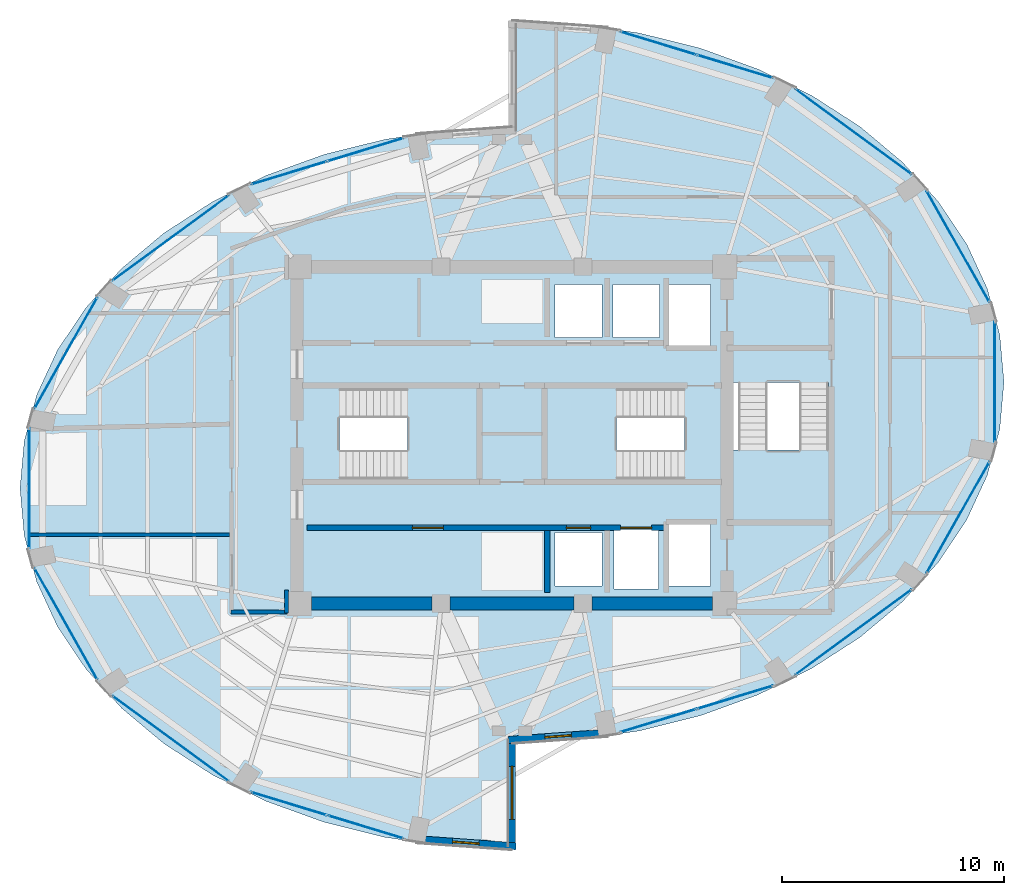
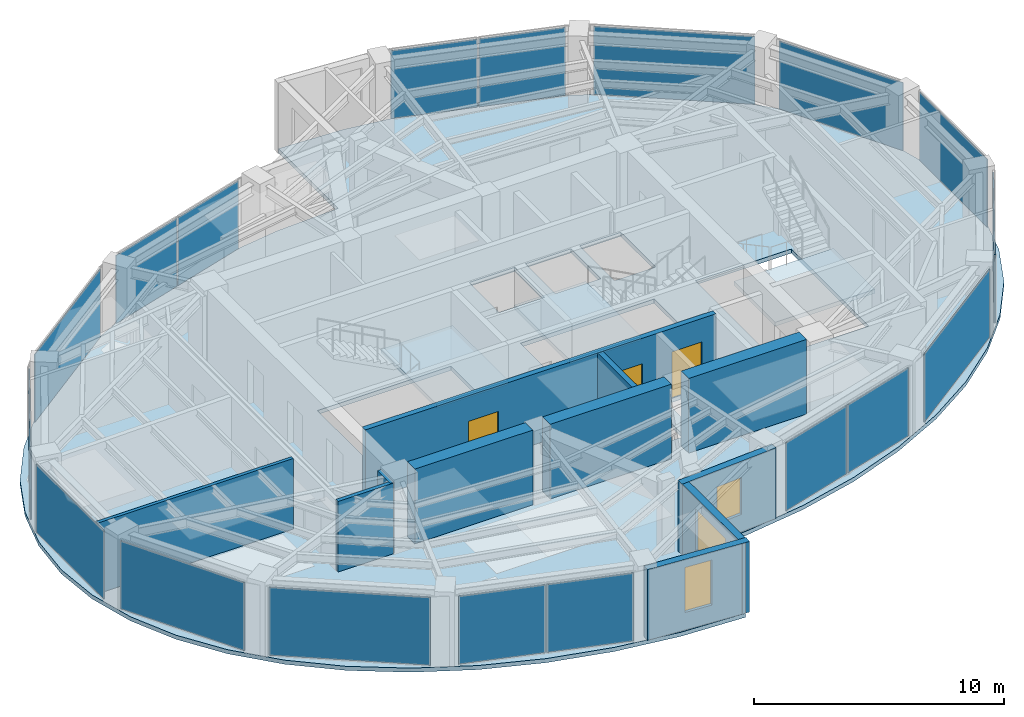
# One storey, part 18 of 22: 18 plates, 11 walls, 4 slabs, 3 doors, 3 windows, 6 openings, 17 elements without a shape of their own.
"""IFC4 building model written with IfcOpenShell, lengths in metres."""

import ifcopenshell
import ifcopenshell.guid

model = None  # the IFC model being written
_history = None  # IfcOwnerHistory: only IFC2X3 demands one
_inside = {}  # id of a spatial element -> (the spatial element, [elements in it])
_under = {}  # id of a project, library or spatial element -> (it, [spatial elements below it])
_declared = {}  # id of a project -> (the project, [libraries it declares])
_typed = {}  # id of a type object -> (the type object, [elements of that type])
_made_of = {}  # id of a material, layer set ... -> (it, [elements and type objects made of it])


def new_model(schema):
    """Start an empty IFC model of exactly this schema.

    Asked for "IFC4X3", IfcOpenShell would pick the latest addendum, in which some entities
    have other attributes; the version numbers below select the first issue.
    IFC2X3 requires an IfcOwnerHistory on every rooted entity: one is made here for all.
    """
    global model, _history
    if schema == "IFC4X3":
        model = ifcopenshell.file(schema_version=(4, 3, 0, 0))
    else:
        model = ifcopenshell.file(schema=schema)
    _inside.clear()
    _under.clear()
    _declared.clear()
    _typed.clear()
    _made_of.clear()
    _history = None
    if model.schema == "IFC2X3":
        org = make("IfcOrganization", Name="unknown")
        user = make(
            "IfcPersonAndOrganization",
            ThePerson=make("IfcPerson", FamilyName="unknown"),
            TheOrganization=org,
        )
        app = make(
            "IfcApplication",
            ApplicationDeveloper=org,
            Version="unknown",
            ApplicationFullName="unknown",
            ApplicationIdentifier="unknown",
        )
        _history = make(
            "IfcOwnerHistory",
            OwningUser=user,
            OwningApplication=app,
            ChangeAction="ADDED",
            CreationDate=0,
        )
    return model


def make(cls, **values):
    """One entity of the class cls with the attributes given. An attribute that is None is left unset."""
    return model.create_entity(
        cls, **{name: value for name, value in values.items() if value is not None}
    )


def rooted(cls, **values):
    """An entity with a GlobalId (a new one), such as an element, a storey or a relation."""
    return make(cls, GlobalId=ifcopenshell.guid.new(), OwnerHistory=_history, **values)


def si_unit(unit_type, name, prefix=None):
    """IfcSIUnit, for example si_unit("LENGTHUNIT", "METRE", prefix="MILLI")."""
    return make("IfcSIUnit", UnitType=unit_type, Prefix=prefix, Name=name)


def assignment(units):
    """IfcUnitAssignment: the units of a project."""
    return None if units is None else make("IfcUnitAssignment", Units=units)


def point(xyz):
    """IfcCartesianPoint."""
    return None if xyz is None else make("IfcCartesianPoint", Coordinates=xyz)


def direction(xyz):
    """IfcDirection."""
    return None if xyz is None else make("IfcDirection", DirectionRatios=xyz)


def frame(location, z_axis=None, x_axis=None):
    """IfcAxis2Placement3D, a coordinate frame: its origin and axes. An axis left out is left unset."""
    return make(
        "IfcAxis2Placement3D",
        Location=point(location),
        Axis=direction(z_axis),
        RefDirection=direction(x_axis),
    )


def frame_2d(location, x_axis=None):
    """IfcAxis2Placement2D, a coordinate frame in the plane: its origin and x axis."""
    return make(
        "IfcAxis2Placement2D", Location=point(location), RefDirection=direction(x_axis)
    )


def origin():
    """The frame at (0, 0, 0) with its axes left unset."""
    return frame((0.0, 0.0, 0.0))


def origin_2d():
    """The frame at (0, 0) in the plane with its x axis left unset."""
    return frame_2d((0.0, 0.0))


def place(relative_to, where):
    """IfcLocalPlacement: puts the frame where relative to a parent placement (None: the world)."""
    return make(
        "IfcLocalPlacement", PlacementRelTo=relative_to, RelativePlacement=where
    )


def context(
    kind, dimensions, precision=None, world=None, true_north=None, identifier=None
):
    """IfcGeometricRepresentationContext, for example the 3D "Model" context."""
    return make(
        "IfcGeometricRepresentationContext",
        ContextIdentifier=identifier,
        ContextType=kind,
        CoordinateSpaceDimension=dimensions,
        Precision=precision,
        WorldCoordinateSystem=world,
        TrueNorth=true_north,
    )


def subcontext(parent, identifier, kind, view, scale=None):
    """IfcGeometricRepresentationSubContext, for example "Body" below "Model"."""
    return make(
        "IfcGeometricRepresentationSubContext",
        ContextIdentifier=identifier,
        ContextType=kind,
        ParentContext=parent,
        TargetScale=scale,
        TargetView=view,
    )


def project(units=None, contexts=None):
    """IfcProject with its units and contexts."""
    return rooted(
        "IfcProject",
        Name="project",
        RepresentationContexts=contexts,
        UnitsInContext=assignment(units),
    )


def spatial(cls, under=None, at=None, **own):
    """A site, building, storey or space (cls), placed at a placement, below another one or the project."""
    s = rooted(cls, ObjectPlacement=at, **own)
    if under is not None:
        _under.setdefault(under.id(), (under, []))[1].append(s)
    return s


def polyline(points):
    """IfcPolyline through the points."""
    return make("IfcPolyline", Points=[point(p) for p in points])


def profile(cls, at=None, kind="AREA", **sizes):
    """A parametric profile (cls). Its sizes go by their IFC names, for example OverallWidth=200.0."""
    return make(cls, ProfileType=kind, Position=at, **sizes)


def rectangle(**sizes):
    """IfcRectangleProfileDef."""
    return profile("IfcRectangleProfileDef", **sizes)


def outline(outer, holes=None, kind="AREA"):
    """IfcArbitraryClosedProfileDef: a profile drawn as a closed curve; with holes, ...WithVoids."""
    if holes is None:
        return make("IfcArbitraryClosedProfileDef", ProfileType=kind, OuterCurve=outer)
    return make(
        "IfcArbitraryProfileDefWithVoids",
        ProfileType=kind,
        OuterCurve=outer,
        InnerCurves=holes,
    )


def extrude(swept, where, along, depth):
    """IfcExtrudedAreaSolid: the profile swept, set in the frame where, extruded along a direction by depth."""
    return make(
        "IfcExtrudedAreaSolid",
        SweptArea=swept,
        Position=where,
        ExtrudedDirection=direction(along),
        Depth=depth,
    )


def shape(context_of_items, identifier, shape_type, items):
    """IfcShapeRepresentation: the items that make up one representation, for example the "Body"."""
    return make(
        "IfcShapeRepresentation",
        ContextOfItems=context_of_items,
        RepresentationIdentifier=identifier,
        RepresentationType=shape_type,
        Items=items,
    )


def material(Name=None, Category=None):
    """IfcMaterial."""
    return make("IfcMaterial", Name=Name, Category=Category)


def layer(
    of_material, thickness, ventilated=None, Name=None, Category=None, Priority=None
):
    """IfcMaterialLayer: one layer of a wall or slab, of a material (None: an air gap)."""
    return make(
        "IfcMaterialLayer",
        Material=of_material,
        LayerThickness=thickness,
        IsVentilated=ventilated,
        Name=Name,
        Category=Category,
        Priority=Priority,
    )


def layer_set(layers, Name=None):
    """IfcMaterialLayerSet."""
    return make("IfcMaterialLayerSet", MaterialLayers=layers, LayerSetName=Name)


def made_of(thing, what):
    """Note that an element or type object is made of a material, layer set ...; save() writes the relation."""
    if what is not None:
        _made_of.setdefault(what.id(), (what, []))[1].append(thing)
    return thing


def type_object(cls, material=None, **own):
    """A type object (cls), such as IfcWallType, which elements share."""
    return made_of(rooted(cls, **own), material)


def element(
    cls,
    number,
    at=None,
    inside=None,
    cuts=None,
    type_object=None,
    material=None,
    context=None,
    identifier="Body",
    shape_type=None,
    held_by="IfcProductDefinitionShape",
    body=None,
    shapes=None,
    **own,
):
    """One element of the class cls, such as IfcWall. Its Tag is "e" and its number.

    at: its placement. inside: the storey or other place that contains it. cuts: it is an
    opening in that element (IfcRelVoidsElement). A single representation is given by context,
    identifier, shape_type and body (its items); several are given by shapes. held_by: the class
    of the entity that holds the representations. save() writes the other relations.
    """
    e = rooted(cls, Tag="e%d" % number, ObjectPlacement=at, **own)
    if body is not None:
        shapes = [shape(context, identifier, shape_type, body)]
    if shapes is not None:
        e.Representation = make(held_by, Representations=shapes)
    if inside is not None:
        _inside.setdefault(inside.id(), (inside, []))[1].append(e)
    if cuts is not None:
        rooted(
            "IfcRelVoidsElement", RelatingBuildingElement=cuts, RelatedOpeningElement=e
        )
    if type_object is not None:
        _typed.setdefault(type_object.id(), (type_object, []))[1].append(e)
    return made_of(e, material)


def fill(opening, filler):
    """IfcRelFillsElement: the door or window that sits in an opening."""
    return rooted(
        "IfcRelFillsElement",
        RelatingOpeningElement=opening,
        RelatedBuildingElement=filler,
    )


def aggregate(whole, parts):
    """IfcRelAggregates: a whole, such as a stair, and the parts it consists of."""
    return rooted("IfcRelAggregates", RelatingObject=whole, RelatedObjects=parts)


def save(model, path):
    """Write the relations noted so far, then the file.

    IfcRelAggregates (storeys below a building ...), IfcRelContainedInSpatialStructure (elements
    in a storey), IfcRelDefinesByType, IfcRelAssociatesMaterial and IfcRelDeclares: one each for
    every whole, place, type object, material and project.
    """
    for whole, parts in _under.values():
        aggregate(whole, parts)
    for where, things in _inside.values():
        rooted(
            "IfcRelContainedInSpatialStructure",
            RelatedElements=things,
            RelatingStructure=where,
        )
    for kind, things in _typed.values():
        rooted("IfcRelDefinesByType", RelatedObjects=things, RelatingType=kind)
    for what, things in _made_of.values():
        rooted("IfcRelAssociatesMaterial", RelatedObjects=things, RelatingMaterial=what)
    for by, libraries in _declared.values():
        rooted("IfcRelDeclares", RelatingContext=by, RelatedDefinitions=libraries)
    model.write(path)


model = new_model("IFC4")

# Units and contexts
model_context = context("Model", 3, precision=1e-05, world=origin(), true_north=direction((0.0, 1.0)))
body_context = subcontext(model_context, "Body", "Model", "MODEL_VIEW")
ifc_project = project(units=[si_unit("LENGTHUNIT", "METRE"), si_unit("AREAUNIT", "SQUARE_METRE"), si_unit("VOLUMEUNIT", "CUBIC_METRE"), si_unit("PLANEANGLEUNIT", "RADIAN"), si_unit("MASSUNIT", "GRAM", prefix="KILO")], contexts=[model_context])

# Site, building, storey
site_placement = place(None, origin())
site = spatial("IfcSite", under=ifc_project, at=site_placement, CompositionType="ELEMENT")
building_placement = place(site_placement, origin())
building = spatial("IfcBuilding", under=site, at=building_placement, Name="Lazwardi Medical Tower", CompositionType="ELEMENT")
storey_placement = place(building_placement, frame((0.0, 0.0, 227.6640625)))
storey = spatial("IfcBuildingStorey", under=building, at=storey_placement, Name="L59", CompositionType="ELEMENT", Elevation=227.6640625)

# Curtain wall, plates
ifc_material_1 = material(Name="Anodised bronze aluminium and solar control glazing", Category="aluminium")
ifc_layer_1 = layer(ifc_material_1, 0.18994140625)
ifc_layer_set_1 = layer_set([ifc_layer_1], Name="Anodised bronze aluminium and solar control glazing")
curtain_wall_type = type_object("IfcCurtainWallType", Name="CW-SYS-04", PredefinedType="NOTDEFINED", material=ifc_layer_set_1)
curtain_wall_1_placement = place(storey_placement, origin())
curtain_wall_1 = element("IfcCurtainWall", 1, at=curtain_wall_1_placement, inside=storey, type_object=curtain_wall_type, Name="L59 Unitised bronze curtain wall CW-04", PredefinedType="NOTDEFINED")
ifc_material_2 = material(Name="Low-e bronze solar control double glazing", Category="glass")
ifc_layer_2 = layer(ifc_material_2, 0.035888671875)
ifc_layer_set_2 = layer_set([ifc_layer_2], Name="Low-e bronze solar control double glazing")
plate_type = type_object("IfcPlateType", Name="PLT-GLZ-01", PredefinedType="CURTAIN_PANEL", material=ifc_layer_set_2)
plate_1_placement = place(storey_placement, frame((42.604736328125, 15.118896484375, 0.06494140625), z_axis=(0.0, 0.0, 1.0), x_axis=(0.956850126972, 0.290581889515, 0.0)))
plate_1 = element("IfcPlate", 2, at=plate_1_placement, type_object=plate_type, Name="CW-04 panel 1.1", PredefinedType="CURTAIN_PANEL", context=body_context, shape_type="SweptSolid", body=[
    extrude(rectangle(XDim=3.554443359375, YDim=0.035888671875, at=origin_2d()), origin(), (0.0, 0.0, 1.0), 3.318115234375),
])
plate_2_placement = place(storey_placement, frame((46.068115234375, 16.170654296875, 0.06494140625), z_axis=(0.0, 0.0, 1.0), x_axis=(0.956850126972, 0.290581889515, 0.0)))
plate_2 = element("IfcPlate", 3, at=plate_2_placement, type_object=plate_type, Name="CW-04 panel 2.1", PredefinedType="CURTAIN_PANEL", context=body_context, shape_type="SweptSolid", body=[
    extrude(rectangle(XDim=3.554443359375, YDim=0.035888671875, at=origin_2d()), origin(), (0.0, 0.0, 1.0), 3.318115234375),
])
aggregate(curtain_wall_1, [plate_1, plate_2])

# Curtain wall, plate
curtain_wall_2_placement = place(storey_placement, origin())
curtain_wall_2 = element("IfcCurtainWall", 4, at=curtain_wall_2_placement, inside=storey, type_object=curtain_wall_type, Name="L59 Unitised bronze curtain wall CW-04", PredefinedType="NOTDEFINED")
plate_3_placement = place(storey_placement, frame((51.403564453125, 19.106689453125, 0.06494140625), z_axis=(0.0, 0.0, 1.0), x_axis=(0.806474971121, 0.591268230971, 0.0)))
plate_3 = element("IfcPlate", 5, at=plate_3_placement, type_object=plate_type, Name="CW-04 panel 1.1", PredefinedType="CURTAIN_PANEL", context=body_context, shape_type="SweptSolid", body=[
    extrude(rectangle(XDim=6.502685546875, YDim=0.035888671875, at=origin_2d()), origin(), (0.0, 0.0, 1.0), 3.318115234375),
])
aggregate(curtain_wall_2, [plate_3])

curtain_wall_3_placement = place(storey_placement, origin())
curtain_wall_3 = element("IfcCurtainWall", 6, at=curtain_wall_3_placement, inside=storey, type_object=curtain_wall_type, Name="L59 Unitised bronze curtain wall CW-04", PredefinedType="NOTDEFINED")
plate_4_placement = place(storey_placement, frame((56.125732421875, 24.2880859375, 0.06494140625), z_axis=(0.0, 0.0, 1.0), x_axis=(0.491900474661, 0.870651436011, 0.0)))
plate_4 = element("IfcPlate", 7, at=plate_4_placement, type_object=plate_type, Name="CW-04 panel 1.1", PredefinedType="CURTAIN_PANEL", context=body_context, shape_type="SweptSolid", body=[
    extrude(rectangle(XDim=5.755126953125, YDim=0.035888671875, at=origin_2d()), origin(), (0.0, 0.0, 1.0), 3.318115234375),
])
aggregate(curtain_wall_3, [plate_4])

curtain_wall_4_placement = place(storey_placement, origin())
curtain_wall_4 = element("IfcCurtainWall", 8, at=curtain_wall_4_placement, inside=storey, type_object=curtain_wall_type, Name="L59 Unitised bronze curtain wall CW-04", PredefinedType="NOTDEFINED")
plate_5_placement = place(storey_placement, frame((57.7841796875, 30.39990234375, 0.06494140625), z_axis=(0.0, 0.0, 1.0), x_axis=(0.0, 1.0, 0.0)))
plate_5 = element("IfcPlate", 9, at=plate_5_placement, type_object=plate_type, Name="CW-04 panel 1.1", PredefinedType="CURTAIN_PANEL", context=body_context, shape_type="SweptSolid", body=[
    extrude(rectangle(XDim=5.416015625, YDim=0.035888671875, at=origin_2d()), origin(), (0.0, 0.0, 1.0), 3.318115234375),
])
aggregate(curtain_wall_4, [plate_5])

curtain_wall_5_placement = place(storey_placement, origin())
curtain_wall_5 = element("IfcCurtainWall", 10, at=curtain_wall_5_placement, inside=storey, type_object=curtain_wall_type, Name="L59 Unitised bronze curtain wall CW-04", PredefinedType="NOTDEFINED")
plate_6_placement = place(storey_placement, frame((56.125732421875, 36.511962890625, 0.06494140625), z_axis=(0.0, 0.0, 1.0), x_axis=(-0.491900474661, 0.870651436011, 0.0)))
plate_6 = element("IfcPlate", 11, at=plate_6_placement, type_object=plate_type, Name="CW-04 panel 1.1", PredefinedType="CURTAIN_PANEL", context=body_context, shape_type="SweptSolid", body=[
    extrude(rectangle(XDim=5.755126953125, YDim=0.035888671875, at=origin_2d()), origin(), (0.0, 0.0, 1.0), 3.318115234375),
])
aggregate(curtain_wall_5, [plate_6])

curtain_wall_6_placement = place(storey_placement, origin())
curtain_wall_6 = element("IfcCurtainWall", 12, at=curtain_wall_6_placement, inside=storey, type_object=curtain_wall_type, Name="L59 Unitised bronze curtain wall CW-04", PredefinedType="NOTDEFINED")
plate_7_placement = place(storey_placement, frame((51.403564453125, 41.693359375, 0.06494140625), z_axis=(0.0, 0.0, 1.0), x_axis=(-0.806474971121, 0.591268230971, 0.0)))
plate_7 = element("IfcPlate", 13, at=plate_7_placement, type_object=plate_type, Name="CW-04 panel 1.1", PredefinedType="CURTAIN_PANEL", context=body_context, shape_type="SweptSolid", body=[
    extrude(rectangle(XDim=6.502685546875, YDim=0.035888671875, at=origin_2d()), origin(), (0.0, 0.0, 1.0), 3.318115234375),
])
aggregate(curtain_wall_6, [plate_7])

# Curtain wall, plates
curtain_wall_7_placement = place(storey_placement, origin())
curtain_wall_7 = element("IfcCurtainWall", 14, at=curtain_wall_7_placement, inside=storey, type_object=curtain_wall_type, Name="L59 Unitised bronze curtain wall CW-04", PredefinedType="NOTDEFINED")
plate_8_placement = place(storey_placement, frame((46.068115234375, 44.62939453125, 0.06494140625), z_axis=(0.0, 0.0, 1.0), x_axis=(-0.956850126972, 0.290581889515, 0.0)))
plate_8 = element("IfcPlate", 15, at=plate_8_placement, type_object=plate_type, Name="CW-04 panel 1.1", PredefinedType="CURTAIN_PANEL", context=body_context, shape_type="SweptSolid", body=[
    extrude(rectangle(XDim=3.554443359375, YDim=0.035888671875, at=origin_2d()), origin(), (0.0, 0.0, 1.0), 3.318115234375),
])
plate_9_placement = place(storey_placement, frame((42.604736328125, 45.68115234375, 0.06494140625), z_axis=(0.0, 0.0, 1.0), x_axis=(-0.956850126972, 0.290581889515, 0.0)))
plate_9 = element("IfcPlate", 16, at=plate_9_placement, type_object=plate_type, Name="CW-04 panel 2.1", PredefinedType="CURTAIN_PANEL", context=body_context, shape_type="SweptSolid", body=[
    extrude(rectangle(XDim=3.554443359375, YDim=0.035888671875, at=origin_2d()), origin(), (0.0, 0.0, 1.0), 3.318115234375),
])
aggregate(curtain_wall_7, [plate_8, plate_9])

curtain_wall_8_placement = place(storey_placement, origin())
curtain_wall_8 = element("IfcCurtainWall", 17, at=curtain_wall_8_placement, inside=storey, type_object=curtain_wall_type, Name="L59 Unitised bronze curtain wall CW-04", PredefinedType="NOTDEFINED")
plate_10_placement = place(storey_placement, frame((29.395263671875, 40.881103515625, 0.06494140625), z_axis=(0.0, 0.0, 1.0), x_axis=(-0.956850126972, -0.290581889515, 0.0)))
plate_10 = element("IfcPlate", 18, at=plate_10_placement, type_object=plate_type, Name="CW-04 panel 1.1", PredefinedType="CURTAIN_PANEL", context=body_context, shape_type="SweptSolid", body=[
    extrude(rectangle(XDim=3.554443359375, YDim=0.035888671875, at=origin_2d()), origin(), (0.0, 0.0, 1.0), 3.318115234375),
])
plate_11_placement = place(storey_placement, frame((25.931884765625, 39.829345703125, 0.06494140625), z_axis=(0.0, 0.0, 1.0), x_axis=(-0.956850126972, -0.290581889515, 0.0)))
plate_11 = element("IfcPlate", 19, at=plate_11_placement, type_object=plate_type, Name="CW-04 panel 2.1", PredefinedType="CURTAIN_PANEL", context=body_context, shape_type="SweptSolid", body=[
    extrude(rectangle(XDim=3.554443359375, YDim=0.035888671875, at=origin_2d()), origin(), (0.0, 0.0, 1.0), 3.318115234375),
])
aggregate(curtain_wall_8, [plate_10, plate_11])

# Curtain wall, plate
curtain_wall_9_placement = place(storey_placement, origin())
curtain_wall_9 = element("IfcCurtainWall", 20, at=curtain_wall_9_placement, inside=storey, type_object=curtain_wall_type, Name="L59 Unitised bronze curtain wall CW-04", PredefinedType="NOTDEFINED")
plate_12_placement = place(storey_placement, frame((20.596435546875, 36.893310546875, 0.06494140625), z_axis=(0.0, 0.0, 1.0), x_axis=(-0.806474971121, -0.591268230971, 0.0)))
plate_12 = element("IfcPlate", 21, at=plate_12_placement, type_object=plate_type, Name="CW-04 panel 1.1", PredefinedType="CURTAIN_PANEL", context=body_context, shape_type="SweptSolid", body=[
    extrude(rectangle(XDim=6.502685546875, YDim=0.035888671875, at=origin_2d()), origin(), (0.0, 0.0, 1.0), 3.318115234375),
])
aggregate(curtain_wall_9, [plate_12])

curtain_wall_10_placement = place(storey_placement, origin())
curtain_wall_10 = element("IfcCurtainWall", 22, at=curtain_wall_10_placement, inside=storey, type_object=curtain_wall_type, Name="L59 Unitised bronze curtain wall CW-04", PredefinedType="NOTDEFINED")
plate_13_placement = place(storey_placement, frame((15.874267578125, 31.7119140625, 0.06494140625), z_axis=(0.0, 0.0, 1.0), x_axis=(-0.491900474661, -0.870651436011, 0.0)))
plate_13 = element("IfcPlate", 23, at=plate_13_placement, type_object=plate_type, Name="CW-04 panel 1.1", PredefinedType="CURTAIN_PANEL", context=body_context, shape_type="SweptSolid", body=[
    extrude(rectangle(XDim=5.755126953125, YDim=0.035888671875, at=origin_2d()), origin(), (0.0, 0.0, 1.0), 3.318115234375),
])
aggregate(curtain_wall_10, [plate_13])

curtain_wall_11_placement = place(storey_placement, origin())
curtain_wall_11 = element("IfcCurtainWall", 24, at=curtain_wall_11_placement, inside=storey, type_object=curtain_wall_type, Name="L59 Unitised bronze curtain wall CW-04", PredefinedType="NOTDEFINED")
plate_14_placement = place(storey_placement, frame((14.2158203125, 25.60009765625, 0.06494140625), z_axis=(0.0, 0.0, 1.0), x_axis=(0.0, -1.0, 0.0)))
plate_14 = element("IfcPlate", 25, at=plate_14_placement, type_object=plate_type, Name="CW-04 panel 1.1", PredefinedType="CURTAIN_PANEL", context=body_context, shape_type="SweptSolid", body=[
    extrude(rectangle(XDim=5.416015625, YDim=0.035888671875, at=origin_2d()), origin(), (0.0, 0.0, 1.0), 3.318115234375),
])
aggregate(curtain_wall_11, [plate_14])

curtain_wall_12_placement = place(storey_placement, origin())
curtain_wall_12 = element("IfcCurtainWall", 26, at=curtain_wall_12_placement, inside=storey, type_object=curtain_wall_type, Name="L59 Unitised bronze curtain wall CW-04", PredefinedType="NOTDEFINED")
plate_15_placement = place(storey_placement, frame((15.874267578125, 19.488037109375, 0.06494140625), z_axis=(0.0, 0.0, 1.0), x_axis=(0.491900474661, -0.870651436011, 0.0)))
plate_15 = element("IfcPlate", 27, at=plate_15_placement, type_object=plate_type, Name="CW-04 panel 1.1", PredefinedType="CURTAIN_PANEL", context=body_context, shape_type="SweptSolid", body=[
    extrude(rectangle(XDim=5.755126953125, YDim=0.035888671875, at=origin_2d()), origin(), (0.0, 0.0, 1.0), 3.318115234375),
])
aggregate(curtain_wall_12, [plate_15])

curtain_wall_13_placement = place(storey_placement, origin())
curtain_wall_13 = element("IfcCurtainWall", 28, at=curtain_wall_13_placement, inside=storey, type_object=curtain_wall_type, Name="L59 Unitised bronze curtain wall CW-04", PredefinedType="NOTDEFINED")
plate_16_placement = place(storey_placement, frame((20.596435546875, 14.306640625, 0.06494140625), z_axis=(0.0, 0.0, 1.0), x_axis=(0.806474971121, -0.591268230971, 0.0)))
plate_16 = element("IfcPlate", 29, at=plate_16_placement, type_object=plate_type, Name="CW-04 panel 1.1", PredefinedType="CURTAIN_PANEL", context=body_context, shape_type="SweptSolid", body=[
    extrude(rectangle(XDim=6.502685546875, YDim=0.035888671875, at=origin_2d()), origin(), (0.0, 0.0, 1.0), 3.318115234375),
])
aggregate(curtain_wall_13, [plate_16])

# Curtain wall, plates
curtain_wall_14_placement = place(storey_placement, origin())
curtain_wall_14 = element("IfcCurtainWall", 30, at=curtain_wall_14_placement, inside=storey, type_object=curtain_wall_type, Name="L59 Unitised bronze curtain wall CW-04", PredefinedType="NOTDEFINED")
plate_17_placement = place(storey_placement, frame((25.931884765625, 11.37060546875, 0.06494140625), z_axis=(0.0, 0.0, 1.0), x_axis=(0.956850126972, -0.290581889515, 0.0)))
plate_17 = element("IfcPlate", 31, at=plate_17_placement, type_object=plate_type, Name="CW-04 panel 1.1", PredefinedType="CURTAIN_PANEL", context=body_context, shape_type="SweptSolid", body=[
    extrude(rectangle(XDim=3.554443359375, YDim=0.035888671875, at=origin_2d()), origin(), (0.0, 0.0, 1.0), 3.318115234375),
])
plate_18_placement = place(storey_placement, frame((29.395263671875, 10.31884765625, 0.06494140625), z_axis=(0.0, 0.0, 1.0), x_axis=(0.956850126972, -0.290581889515, 0.0)))
plate_18 = element("IfcPlate", 32, at=plate_18_placement, type_object=plate_type, Name="CW-04 panel 2.1", PredefinedType="CURTAIN_PANEL", context=body_context, shape_type="SweptSolid", body=[
    extrude(rectangle(XDim=3.554443359375, YDim=0.035888671875, at=origin_2d()), origin(), (0.0, 0.0, 1.0), 3.318115234375),
])
aggregate(curtain_wall_14, [plate_17, plate_18])

# Stair, slab
ifc_material_3 = material(Name="Concrete C45/55", Category="concrete")
stair_type = type_object("IfcStairType", Name="STR-WRD", PredefinedType="HALF_TURN_STAIR", material=ifc_material_3)
stair_1_placement = place(storey_placement, origin())
stair_1 = element("IfcStair", 33, at=stair_1_placement, inside=storey, type_object=stair_type, Name="L59 Protected Exit Stair ST1", PredefinedType="HALF_TURN_STAIR")
ifc_layer_3 = layer(ifc_material_3, 0.199951171875)
ifc_layer_set_3 = layer_set([ifc_layer_3], Name="Concrete C45/55")
slab_type_1 = type_object("IfcSlabType", Name="SLB-LND-190", PredefinedType="LANDING", material=ifc_layer_set_3)
slab_1_placement = place(storey_placement, frame((0.0, 0.0, 1.6240234375)))
slab_1 = element("IfcSlab", 34, at=slab_1_placement, type_object=slab_type_1, Name="ST1 landing 1", PredefinedType="LANDING", context=body_context, shape_type="SweptSolid", body=[
    extrude(outline(polyline([(31.27490234375, 25.840087890625), (34.580078125, 25.840087890625), (34.580078125, 30.280029296875), (31.27490234375, 30.280029296875), (31.27490234375, 25.840087890625)])), origin(), (0.0, 0.0, 1.0), 0.199951171875),
])
aggregate(stair_1, [slab_1])

stair_2_placement = place(storey_placement, origin())
stair_2 = element("IfcStair", 35, at=stair_2_placement, inside=storey, type_object=stair_type, Name="L59 Protected Exit Stair ST2", PredefinedType="HALF_TURN_STAIR")
slab_2_placement = place(storey_placement, frame((0.0, 0.0, 1.6240234375)))
slab_2 = element("IfcSlab", 36, at=slab_2_placement, type_object=slab_type_1, Name="ST2 landing 1", PredefinedType="LANDING", context=body_context, shape_type="SweptSolid", body=[
    extrude(outline(polyline([(40.72509765625, 30.280029296875), (37.419921875, 30.280029296875), (37.419921875, 25.840087890625), (40.72509765625, 25.840087890625), (40.72509765625, 30.280029296875)])), origin(), (0.0, 0.0, 1.0), 0.199951171875),
])
aggregate(stair_2, [slab_2])

stair_3_placement = place(storey_placement, origin())
stair_3 = element("IfcStair", 37, at=stair_3_placement, inside=storey, type_object=stair_type, Name="L59 Protected Exit Stair ST3", PredefinedType="HALF_TURN_STAIR")
slab_3_placement = place(storey_placement, frame((0.0, 0.0, 1.6240234375)))
slab_3 = element("IfcSlab", 38, at=slab_3_placement, type_object=slab_type_1, Name="ST3 landing 1", PredefinedType="LANDING", context=body_context, shape_type="SweptSolid", body=[
    extrude(outline(polyline([(45.860107421875, 27.324951171875), (45.860107421875, 24.02001953125), (50.4599609375, 24.02001953125), (50.4599609375, 27.324951171875), (45.860107421875, 27.324951171875)])), origin(), (0.0, 0.0, 1.0), 0.199951171875),
])
aggregate(stair_3, [slab_3])

# Slab
ifc_material_4 = material(Name="Concrete C50/60", Category="concrete")
ifc_layer_4 = layer(ifc_material_4, 0.199951171875)
ifc_layer_set_4 = layer_set([ifc_layer_4], Name="Concrete C50/60")
slab_type_2 = type_object("IfcSlabType", Name="SLB-UPP-200", PredefinedType="FLOOR", material=ifc_layer_set_4)
slab_4_placement = place(storey_placement, frame((0.0, 0.0, -0.199951171875)))
element("IfcSlab", 39, at=slab_4_placement, inside=storey, type_object=slab_type_2, Name="Structural floor slab SF-04 L59", PredefinedType="FLOOR", context=body_context, shape_type="SweptSolid", body=[
    extrude(outline(polyline([(18.3876953125, 15.67724609375), (20.30224609375, 14.07421875), (22.485595703125, 12.668212890625), (24.89990234375, 11.48388671875), (27.50439453125, 10.540771484375), (30.254150390625, 9.85546875), (33.102294921875, 9.439453125), (36.0, 9.300048828125), (36.0, 14.10009765625), (38.897705078125, 14.239501953125), (41.745849609375, 14.655517578125), (44.49560546875, 15.3408203125), (47.10009765625, 16.28369140625), (49.514404296875, 17.46826171875), (51.69775390625, 18.874267578125), (53.6123046875, 20.477294921875), (55.225830078125, 22.25), (56.510009765625, 24.162353515625), (57.443603515625, 26.18115234375), (58.010009765625, 28.2724609375), (58.199951171875, 30.39990234375), (58.010009765625, 32.527587890625), (57.443603515625, 34.618896484375), (56.510009765625, 36.6376953125), (55.225830078125, 38.550048828125), (53.6123046875, 40.32275390625), (51.69775390625, 41.92578125), (49.514404296875, 43.331787109375), (47.10009765625, 44.51611328125), (44.49560546875, 45.459228515625), (41.745849609375, 46.14453125), (38.897705078125, 46.560546875), (36.0, 46.699951171875), (36.0, 41.89990234375), (33.102294921875, 41.760498046875), (30.254150390625, 41.344482421875), (27.50439453125, 40.6591796875), (24.89990234375, 39.71630859375), (22.485595703125, 38.53173828125), (20.30224609375, 37.125732421875), (18.3876953125, 35.522705078125), (16.774169921875, 33.75), (15.489990234375, 31.837646484375), (14.556396484375, 29.81884765625), (13.989990234375, 27.7275390625), (13.800048828125, 25.60009765625), (13.989990234375, 23.472412109375), (14.556396484375, 21.381103515625), (15.489990234375, 19.3623046875), (16.774169921875, 17.449951171875), (18.3876953125, 15.67724609375)]), holes=[polyline([(28.22509765625, 26.02001953125), (28.22509765625, 30.10009765625), (34.39990234375, 30.10009765625), (34.39990234375, 26.02001953125), (28.22509765625, 26.02001953125)]), polyline([(37.60009765625, 30.10009765625), (43.77490234375, 30.10009765625), (43.77490234375, 26.02001953125), (37.60009765625, 26.02001953125), (37.60009765625, 30.10009765625)]), polyline([(50.280029296875, 30.375), (50.280029296875, 24.179931640625), (45.840087890625, 24.179931640625), (45.840087890625, 30.375), (50.280029296875, 30.375)]), polyline([(40.050048828125, 32.39990234375), (37.949951171875, 32.39990234375), (37.949951171875, 34.800048828125), (40.050048828125, 34.800048828125), (40.050048828125, 32.39990234375)]), polyline([(40.550048828125, 32.39990234375), (40.550048828125, 34.800048828125), (42.64990234375, 34.800048828125), (42.64990234375, 32.39990234375), (40.550048828125, 32.39990234375)]), polyline([(37.949951171875, 23.60009765625), (40.050048828125, 23.60009765625), (40.050048828125, 21.199951171875), (37.949951171875, 21.199951171875), (37.949951171875, 23.60009765625)]), polyline([(44.949951171875, 34.800048828125), (44.949951171875, 32.0), (43.050048828125, 32.0), (43.050048828125, 34.800048828125), (44.949951171875, 34.800048828125)]), polyline([(44.949951171875, 21.199951171875), (43.050048828125, 21.199951171875), (43.050048828125, 24.0), (44.949951171875, 24.0), (44.949951171875, 21.199951171875)]), polyline([(40.60009765625, 21.050048828125), (40.60009765625, 23.75), (42.60009765625, 23.75), (42.60009765625, 21.050048828125), (40.60009765625, 21.050048828125)])]), origin(), (0.0, 0.0, 1.0), 0.199951171875),
])

# Walls
ifc_material_5 = material(Name="Fire-rated gypsum board on steel stud", Category="steel")
ifc_layer_5 = layer(ifc_material_5, 0.179931640625)
ifc_layer_set_5 = layer_set([ifc_layer_5], Name="Fire-rated gypsum board on steel stud")
wall_type_1 = type_object("IfcWallType", Name="WL-COR-180", PredefinedType="PARTITIONING", material=ifc_layer_set_5)
wall_1_placement = place(storey_placement, frame((25.830078125, 21.010009765625, 0.0), z_axis=(0.0, 0.0, 1.0), x_axis=(0.0, -1.0, 0.0)))
element("IfcWall", 40, at=wall_1_placement, inside=storey, type_object=wall_type_1, Name="L59 Corridor partition 8", PredefinedType="PARTITIONING", context=body_context, shape_type="SweptSolid", body=[
    extrude(rectangle(XDim=1.030029296875, YDim=0.179931640625, at=frame_2d((0.51513671875, 0.0))), origin(), (0.0, 0.0, 1.0), 3.447998046875),
])
wall_2_placement = place(storey_placement, frame((25.8701171875, 20.02001953125, 0.0), z_axis=(0.0, 0.0, 1.0), x_axis=(-1.0, 0.0, 0.0)))
element("IfcWall", 41, at=wall_2_placement, inside=storey, type_object=wall_type_1, Name="L59 Corridor partition 9", PredefinedType="PARTITIONING", context=body_context, shape_type="SweptSolid", body=[
    extrude(rectangle(XDim=2.56005859375, YDim=0.179931640625, at=frame_2d((1.280029296875, 0.0))), origin(), (0.0, 0.0, 1.0), 3.447998046875),
])
ifc_material_6 = material(Name="Concrete C60/75", Category="concrete")
ifc_layer_6 = layer(ifc_material_6, 0.60009765625)
ifc_layer_set_6 = layer_set([ifc_layer_6], Name="Concrete C60/75")
wall_type_2 = type_object("IfcWallType", Name="WL-CORE-600", PredefinedType="SHEAR", material=ifc_layer_set_6)
wall_3_placement = place(storey_placement, frame((26.949951171875, 20.39990234375, 0.0), z_axis=(0.0, 0.0, 1.0), x_axis=(1.0, 0.0, 0.0)))
element("IfcWall", 42, at=wall_3_placement, inside=storey, type_object=wall_type_2, Name="Core wall CW-S3 S1 L59", PredefinedType="SHEAR", context=body_context, shape_type="SweptSolid", body=[
    extrude(rectangle(XDim=5.449951171875, YDim=0.60009765625, at=frame_2d((2.72509765625, 0.0))), origin(), (0.0, 0.0, 1.0), 3.64794921875),
])
wall_4_placement = place(storey_placement, frame((33.199951171875, 20.39990234375, 0.0), z_axis=(0.0, 0.0, 1.0), x_axis=(1.0, 0.0, 0.0)))
element("IfcWall", 43, at=wall_4_placement, inside=storey, type_object=wall_type_2, Name="Core wall CW-S3 S2 L59", PredefinedType="SHEAR", context=body_context, shape_type="SweptSolid", body=[
    extrude(rectangle(XDim=5.60009765625, YDim=0.60009765625, at=frame_2d((2.800048828125, 0.0))), origin(), (0.0, 0.0, 1.0), 3.64794921875),
])
wall_5_placement = place(storey_placement, frame((39.60009765625, 20.39990234375, 0.0), z_axis=(0.0, 0.0, 1.0), x_axis=(1.0, 0.0, 0.0)))
element("IfcWall", 44, at=wall_5_placement, inside=storey, type_object=wall_type_2, Name="Core wall CW-S3 S3 L59", PredefinedType="SHEAR", context=body_context, shape_type="SweptSolid", body=[
    extrude(rectangle(XDim=5.449951171875, YDim=0.60009765625, at=frame_2d((2.72509765625, 0.0))), origin(), (0.0, 0.0, 1.0), 3.64794921875),
])

# Wall, opening, window
ifc_material_7 = material(Name="Precast concrete C45/55", Category="concrete")
ifc_layer_7 = layer(ifc_material_7, 0.320068359375)
ifc_layer_set_7 = layer_set([ifc_layer_7], Name="Precast concrete C45/55")
wall_type_3 = type_object("IfcWallType", Name="WL-IWAN-320", PredefinedType="SOLIDWALL", material=ifc_layer_set_7)
wall_6_placement = place(storey_placement, frame((35.820556640625, 14.2470703125, 0.0), z_axis=(0.0, 0.0, 1.0), x_axis=(0.997409061056, 0.071938619141, 0.0)))
wall_6 = element("IfcWall", 45, at=wall_6_placement, inside=storey, type_object=wall_type_3, Name="L59 Iwan Portal Return Wall SE_ret", PredefinedType="SOLIDWALL", context=body_context, shape_type="SweptSolid", body=[
    extrude(rectangle(XDim=4.540771484375, YDim=0.320068359375, at=frame_2d((2.2705078125, 0.0))), origin(), (0.0, 0.0, 1.0), 3.447998046875),
])
opening_1_placement = place(wall_6_placement, frame((1.67041015625, 0.0, 0.85009765625)))
opening_1 = element("IfcOpeningElement", 46, at=opening_1_placement, cuts=wall_6, Name="Opening WN-04", PredefinedType="OPENING", context=body_context, shape_type="SweptSolid", body=[
    extrude(rectangle(XDim=1.199951171875, YDim=1.800048828125, at=frame_2d((0.60009765625, 0.89990234375))), frame((0.0, 0.169921875, 0.0), z_axis=(0.0, -1.0, 0.0), x_axis=(1.0, 0.0, 0.0)), (0.0, 0.0, 1.0), 0.340087890625),
])
window_type_1 = type_object("IfcWindowType", Name="WIN-DRUM-1200", PartitioningType="SINGLE_PANEL", PredefinedType="WINDOW", material=ifc_material_2)
window_1_placement = place(opening_1_placement, origin())
window_1 = element("IfcWindow", 47, at=window_1_placement, inside=storey, type_object=window_type_1, Name="L59 Iwan Slot Window SE_ret", OverallHeight=1.800048828125, OverallWidth=1.199951171875, PartitioningType="SINGLE_PANEL", PredefinedType="WINDOW", context=body_context, shape_type="SweptSolid", body=[
    extrude(rectangle(XDim=1.199951171875, YDim=1.800048828125, at=frame_2d((0.60009765625, 0.89990234375))), frame((0.0, 0.030029296875, 0.0), z_axis=(0.0, -1.0, 0.0), x_axis=(1.0, 0.0, 0.0)), (0.0, 0.0, 1.0), 0.06005859375),
])
fill(opening_1, window_1)

wall_7_placement = place(storey_placement, frame((31.650390625, 9.773681640625, 0.0), z_axis=(0.0, 0.0, 1.0), x_axis=(0.997408782787, -0.071942477163, 0.0)))
wall_7 = element("IfcWall", 48, at=wall_7_placement, inside=storey, type_object=wall_type_3, Name="L59 Iwan Portal Return Wall SW_ret", PredefinedType="SOLIDWALL", context=body_context, shape_type="SweptSolid", body=[
    extrude(rectangle(XDim=4.54052734375, YDim=0.320068359375, at=frame_2d((2.270263671875, 0.0))), origin(), (0.0, 0.0, 1.0), 3.447998046875),
])
opening_2_placement = place(wall_7_placement, frame((1.67041015625, 0.0, 0.85009765625)))
opening_2 = element("IfcOpeningElement", 49, at=opening_2_placement, cuts=wall_7, Name="Opening WN-01", PredefinedType="OPENING", context=body_context, shape_type="SweptSolid", body=[
    extrude(rectangle(XDim=1.199951171875, YDim=2.199951171875, at=frame_2d((0.60009765625, 1.10009765625))), frame((0.0, 0.169921875, 0.0), z_axis=(0.0, -1.0, 0.0), x_axis=(1.0, 0.0, 0.0)), (0.0, 0.0, 1.0), 0.340087890625),
])
window_type_2 = type_object("IfcWindowType", Name="WIN-IW-1200", PartitioningType="SINGLE_PANEL", PredefinedType="WINDOW", material=ifc_material_2)
window_2_placement = place(opening_2_placement, origin())
window_2 = element("IfcWindow", 50, at=window_2_placement, inside=storey, type_object=window_type_2, Name="L59 Iwan Slot Window SW_ret", OverallHeight=2.199951171875, OverallWidth=1.199951171875, PartitioningType="SINGLE_PANEL", PredefinedType="WINDOW", context=body_context, shape_type="SweptSolid", body=[
    extrude(rectangle(XDim=1.199951171875, YDim=2.199951171875, at=frame_2d((0.60009765625, 1.10009765625))), frame((0.0, 0.030029296875, 0.0), z_axis=(0.0, -1.0, 0.0), x_axis=(1.0, 0.0, 0.0)), (0.0, 0.0, 1.0), 0.06005859375),
])
fill(opening_2, window_2)

wall_8_placement = place(storey_placement, frame((36.0, 9.300048828125, 0.0), z_axis=(0.0, 0.0, 1.0), x_axis=(0.0, 1.0, 0.0)))
wall_8 = element("IfcWall", 51, at=wall_8_placement, inside=storey, type_object=wall_type_3, Name="L59 Turquoise Tilework Iwan Seam Wall S_seam", PredefinedType="SOLIDWALL", context=body_context, shape_type="SweptSolid", body=[
    extrude(rectangle(XDim=5.119873046875, YDim=0.320068359375, at=frame_2d((2.56005859375, 0.0))), origin(), (0.0, 0.0, 1.0), 3.447998046875),
])
opening_3_placement = place(wall_8_placement, frame((1.360107421875, 0.0, 0.840087890625)))
opening_3 = element("IfcOpeningElement", 52, at=opening_3_placement, cuts=wall_8, Name="Opening WN-02", PredefinedType="OPENING", context=body_context, shape_type="SweptSolid", body=[
    extrude(rectangle(XDim=2.39990234375, YDim=2.0400390625, at=frame_2d((1.199951171875, 1.02001953125))), frame((0.0, 0.169921875, 0.0), z_axis=(0.0, -1.0, 0.0), x_axis=(1.0, 0.0, 0.0)), (0.0, 0.0, 1.0), 0.340087890625),
])
window_type_3 = type_object("IfcWindowType", Name="WIN-IW-2400", PartitioningType="SINGLE_PANEL", PredefinedType="WINDOW", material=ifc_material_2)
window_3_placement = place(opening_3_placement, origin())
window_3 = element("IfcWindow", 53, at=window_3_placement, inside=storey, type_object=window_type_3, Name="L59 Iwan Seam Window S_seam", OverallHeight=2.0400390625, OverallWidth=2.39990234375, PartitioningType="SINGLE_PANEL", PredefinedType="WINDOW", context=body_context, shape_type="SweptSolid", body=[
    extrude(rectangle(XDim=2.39990234375, YDim=2.0400390625, at=frame_2d((1.199951171875, 1.02001953125))), frame((0.0, 0.030029296875, 0.0), z_axis=(0.0, -1.0, 0.0), x_axis=(1.0, 0.0, 0.0)), (0.0, 0.0, 1.0), 0.06005859375),
])
fill(opening_3, window_3)

# Wall, openings, doors
ifc_material_8 = material(Name="Autoclaved aerated concrete blockwork", Category="masonry")
ifc_layer_8 = layer(ifc_material_8, 0.25)
ifc_layer_set_8 = layer_set([ifc_layer_8], Name="Autoclaved aerated concrete blockwork")
wall_type_4 = type_object("IfcWallType", Name="WL-SHAFT-250", PredefinedType="SOLIDWALL", material=ifc_layer_set_8)
wall_9_placement = place(storey_placement, frame((26.75, 23.830078125, 0.0), z_axis=(0.0, 0.0, 1.0), x_axis=(1.0, 0.0, 0.0)))
wall_9 = element("IfcWall", 54, at=wall_9_placement, inside=storey, type_object=wall_type_4, Name="L59 South lift bank front wall", PredefinedType="SOLIDWALL", context=body_context, shape_type="SweptSolid", body=[
    extrude(rectangle(XDim=16.199951171875, YDim=0.25, at=frame_2d((8.10009765625, 0.0))), origin(), (0.0, 0.0, 1.0), 3.447998046875),
])
opening_4_placement = place(wall_9_placement, frame((4.75, 0.0, 0.0)))
opening_4 = element("IfcOpeningElement", 55, at=opening_4_placement, cuts=wall_9, Name="Opening D-L59-005", PredefinedType="OPENING", context=body_context, shape_type="SweptSolid", body=[
    extrude(rectangle(XDim=1.39990234375, YDim=2.199951171875, at=frame_2d((0.699951171875, 1.10009765625))), frame((0.0, 0.135009765625, 0.0), z_axis=(0.0, -1.0, 0.0), x_axis=(1.0, 0.0, 0.0)), (0.0, 0.0, 1.0), 0.27001953125),
])
opening_5_placement = place(wall_9_placement, frame((11.699951171875, 0.0, 0.0)))
opening_5 = element("IfcOpeningElement", 56, at=opening_5_placement, cuts=wall_9, Name="Opening LD-L59-006", PredefinedType="OPENING", context=body_context, shape_type="SweptSolid", body=[
    extrude(rectangle(XDim=1.10009765625, YDim=2.199951171875, at=frame_2d((0.550048828125, 1.10009765625))), frame((0.0, 0.135009765625, 0.0), z_axis=(0.0, -1.0, 0.0), x_axis=(1.0, 0.0, 0.0)), (0.0, 0.0, 1.0), 0.27001953125),
])
opening_6_placement = place(wall_9_placement, frame((14.14990234375, 0.0, 0.0)))
opening_6 = element("IfcOpeningElement", 57, at=opening_6_placement, cuts=wall_9, Name="Opening LD-L59-003", PredefinedType="OPENING", context=body_context, shape_type="SweptSolid", body=[
    extrude(rectangle(XDim=1.39990234375, YDim=2.300048828125, at=frame_2d((0.699951171875, 1.14990234375))), frame((0.0, 0.135009765625, 0.0), z_axis=(0.0, -1.0, 0.0), x_axis=(1.0, 0.0, 0.0)), (0.0, 0.0, 1.0), 0.27001953125),
])
ifc_material_9 = material(Name="Anti-microbial laminate hospital leaf")
door_type_1 = type_object("IfcDoorType", Name="DR-BED-1400", OperationType="NOTDEFINED", PredefinedType="DOOR", material=ifc_material_9)
door_1_placement = place(opening_4_placement, origin())
door_1 = element("IfcDoor", 58, at=door_1_placement, inside=storey, type_object=door_type_1, Name="L59 Core Dialysis Door", OperationType="SINGLE_SWING_LEFT", OverallHeight=2.199951171875, OverallWidth=1.39990234375, PredefinedType="DOOR", context=body_context, shape_type="SweptSolid", body=[
    extrude(rectangle(XDim=1.39990234375, YDim=2.199951171875, at=frame_2d((0.699951171875, 1.10009765625))), frame((0.0, 0.02490234375, 0.0), z_axis=(0.0, -1.0, 0.0), x_axis=(1.0, 0.0, 0.0)), (0.0, 0.0, 1.0), 0.050048828125),
])
fill(opening_4, door_1)
ifc_material_10 = material(Name="Brushed bronze stainless steel landing door", Category="steel")
door_type_2 = type_object("IfcDoorType", Name="DR-LFT-1100", OperationType="NOTDEFINED", PredefinedType="DOOR", material=ifc_material_10)
door_2_placement = place(opening_5_placement, origin())
door_2 = element("IfcDoor", 59, at=door_2_placement, inside=storey, type_object=door_type_2, Name="L59 Lift Landing Door PL-11", OperationType="SLIDING_TO_LEFT", OverallHeight=2.199951171875, OverallWidth=1.10009765625, PredefinedType="DOOR", context=body_context, shape_type="SweptSolid", body=[
    extrude(rectangle(XDim=1.10009765625, YDim=2.199951171875, at=frame_2d((0.550048828125, 1.10009765625))), frame((0.0, 0.02490234375, 0.0), z_axis=(0.0, -1.0, 0.0), x_axis=(1.0, 0.0, 0.0)), (0.0, 0.0, 1.0), 0.050048828125),
])
fill(opening_5, door_2)
ifc_material_11 = material(Name="Brushed stainless steel bed-lift landing door", Category="steel")
door_type_3 = type_object("IfcDoorType", Name="DR-LFT-1400", OperationType="NOTDEFINED", PredefinedType="DOOR", material=ifc_material_11)
door_3_placement = place(opening_6_placement, origin())
door_3 = element("IfcDoor", 60, at=door_3_placement, inside=storey, type_object=door_type_3, Name="L59 Lift Landing Door FL-03", OperationType="SLIDING_TO_LEFT", OverallHeight=2.300048828125, OverallWidth=1.39990234375, PredefinedType="DOOR", context=body_context, shape_type="SweptSolid", body=[
    extrude(rectangle(XDim=1.39990234375, YDim=2.300048828125, at=frame_2d((0.699951171875, 1.14990234375))), frame((0.0, 0.02490234375, 0.0), z_axis=(0.0, -1.0, 0.0), x_axis=(1.0, 0.0, 0.0)), (0.0, 0.0, 1.0), 0.050048828125),
])
fill(opening_6, door_3)

# Walls
wall_10_placement = place(storey_placement, frame((37.60009765625, 20.89990234375, 0.0), z_axis=(0.0, 0.0, 1.0), x_axis=(0.0, 1.0, 0.0)))
element("IfcWall", 61, at=wall_10_placement, inside=storey, type_object=wall_type_4, Name="L59 South hoistway divider", PredefinedType="SOLIDWALL", context=body_context, shape_type="SweptSolid", body=[
    extrude(rectangle(XDim=2.800048828125, YDim=0.25, at=frame_2d((1.39990234375, 0.0))), origin(), (0.0, 0.0, 1.0), 3.447998046875),
])
ifc_material_12 = material(Name="Acoustic gypsum board partition")
ifc_layer_9 = layer(ifc_material_12, 0.14990234375)
ifc_layer_set_9 = layer_set([ifc_layer_9], Name="Acoustic gypsum board partition")
wall_type_5 = type_object("IfcWallType", Name="WL-WRD-150", PredefinedType="PARTITIONING", material=ifc_layer_set_9)
wall_11_placement = place(storey_placement, frame((14.228271484375, 23.5, 0.0), z_axis=(0.0, 0.0, 1.0), x_axis=(1.0, 0.0, 0.0)))
element("IfcWall", 62, at=wall_11_placement, inside=storey, type_object=wall_type_5, Name="L59 Room partition 1", PredefinedType="PARTITIONING", context=body_context, shape_type="SweptSolid", body=[
    extrude(rectangle(XDim=9.03173828125, YDim=0.14990234375, at=frame_2d((4.515869140625, 0.0))), origin(), (0.0, 0.0, 1.0), 3.447998046875),
])

save(model, "model.ifc")
